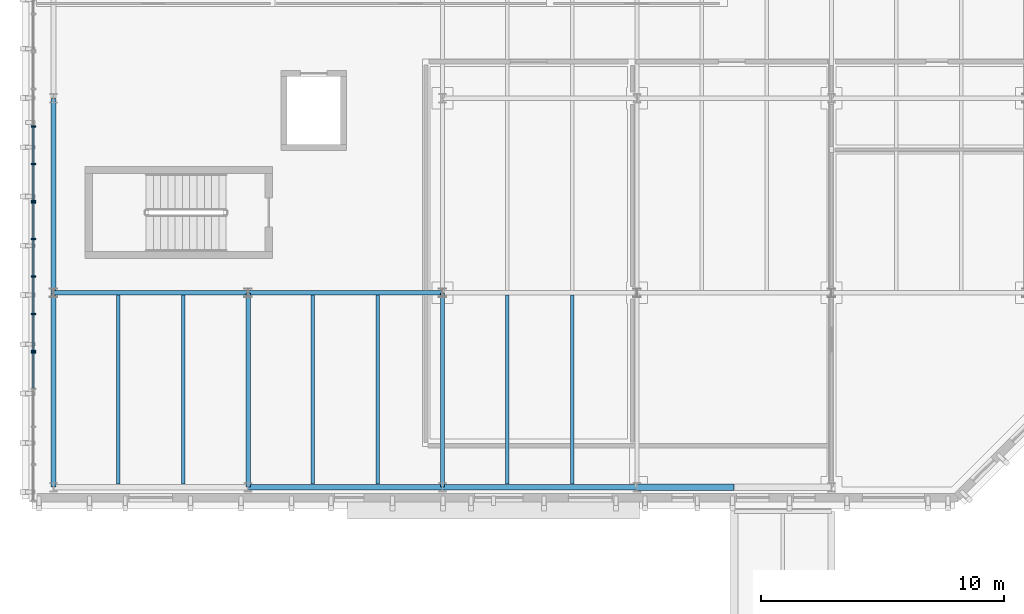
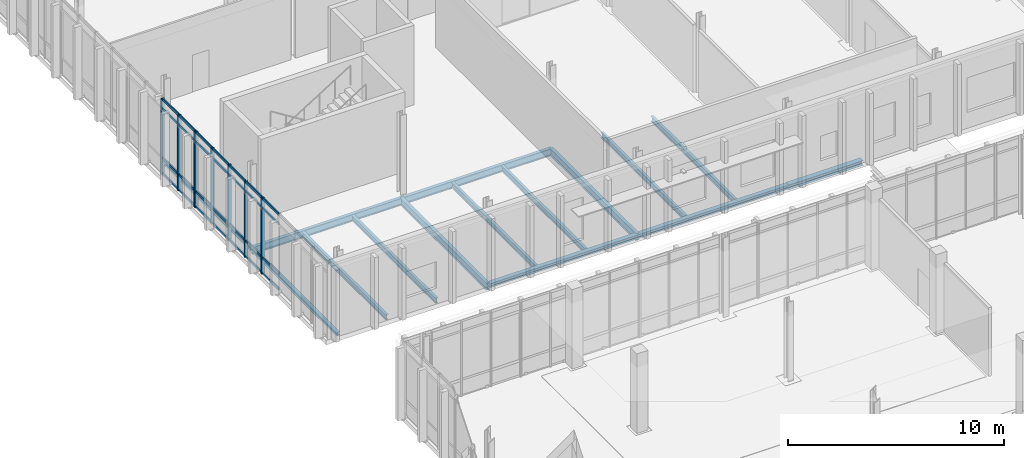
# One storey, part 18 of 62: 37 members, 15 beams, 3 elements without a shape of their own.
"""IFC4 building model written with IfcOpenShell, lengths in metres."""

from ifc_helpers import new_model, si_unit, direction, frame, origin, origin_2d, place, context, subcontext, project, spatial, rectangle, i_section, extrude, material, material_profile, profile_set, type_object, element, aggregate, save


model = new_model("IFC4")

# Units and contexts
model_context = context("Model", 3, precision=1e-05, world=origin(), true_north=direction((0.0, 1.0)))
body_context = subcontext(model_context, "Body", "Model", "MODEL_VIEW")
ifc_project = project(units=[si_unit("LENGTHUNIT", "METRE"), si_unit("AREAUNIT", "SQUARE_METRE"), si_unit("VOLUMEUNIT", "CUBIC_METRE"), si_unit("PLANEANGLEUNIT", "RADIAN"), si_unit("MASSUNIT", "GRAM", prefix="KILO")], contexts=[model_context])

# Site, building, storey
site_placement = place(None, origin())
site = spatial("IfcSite", under=ifc_project, at=site_placement, CompositionType="ELEMENT")
building_placement = place(site_placement, origin())
building = spatial("IfcBuilding", under=site, at=building_placement, Name="Cymarion Research Institute", CompositionType="ELEMENT")
storey_placement = place(building_placement, frame((0.0, 0.0, 18.300048828125)))
storey = spatial("IfcBuildingStorey", under=building, at=storey_placement, Name="L04", CompositionType="ELEMENT", Elevation=18.300048828125)

# Curtain wall, members
ifc_material_1 = material(Name="Anodised aluminium unitised curtain wall with Low-E glazing", Category="aluminium")
curtain_wall_type = type_object("IfcCurtainWallType", Name="UNITISED CURTAIN WALL CW45 6180X4280", PredefinedType="NOTDEFINED", material=ifc_material_1)
curtain_wall_1_placement = place(storey_placement, origin())
curtain_wall_1 = element("IfcCurtainWall", 1, at=curtain_wall_1_placement, inside=storey, type_object=curtain_wall_type, Name="L04 V5 unitised curtain wall CW45 #197", PredefinedType="NOTDEFINED")
ifc_material_2 = material(Name="Anodised aluminium framing", Category="aluminium")
ifc_material_profile_1 = material_profile(ifc_material_2, rectangle(XDim=0.06005859375, YDim=0.179931640625, at=origin_2d()), Name="ALU MULLION 60x180")
ifc_profile_set_1 = profile_set([ifc_material_profile_1], Name="Anodised aluminium framing")
member_type_1 = type_object("IfcMemberType", Name="CURTAIN WALL MULLION ML01 60X180", PredefinedType="MULLION", material=ifc_profile_set_1)
member_1_placement = place(storey_placement, frame((5.77001953125, 100.339111328125, 0.0), z_axis=(0.0, 0.0, 1.0), x_axis=(0.0, -1.0, 0.0)))
member_1 = element("IfcMember", 2, at=member_1_placement, type_object=member_type_1, Name="CW45 mullion 3", PredefinedType="MULLION", context=body_context, shape_type="SweptSolid", body=[
    extrude(rectangle(XDim=0.06005859375, YDim=0.179931640625, at=origin_2d()), origin(), (0.0, 0.0, 1.0), 4.280029296875),
])
member_2_placement = place(storey_placement, frame((5.77001953125, 98.795166015625, 0.0), z_axis=(0.0, 0.0, 1.0), x_axis=(0.0, -1.0, 0.0)))
member_2 = element("IfcMember", 3, at=member_2_placement, type_object=member_type_1, Name="CW45 mullion 4", PredefinedType="MULLION", context=body_context, shape_type="SweptSolid", body=[
    extrude(rectangle(XDim=0.06005859375, YDim=0.179931640625, at=origin_2d()), origin(), (0.0, 0.0, 1.0), 4.280029296875),
])
member_3_placement = place(storey_placement, frame((5.77001953125, 97.28125, 0.0), z_axis=(0.0, 0.0, 1.0), x_axis=(0.0, -1.0, 0.0)))
member_3 = element("IfcMember", 4, at=member_3_placement, type_object=member_type_1, Name="CW45 mullion 5", PredefinedType="MULLION", context=body_context, shape_type="SweptSolid", body=[
    extrude(rectangle(XDim=0.06005859375, YDim=0.179931640625, at=origin_2d()), origin(), (0.0, 0.0, 1.0), 4.280029296875),
])

curtain_wall_2_placement = place(storey_placement, origin())
curtain_wall_2 = element("IfcCurtainWall", 5, at=curtain_wall_2_placement, inside=storey, type_object=curtain_wall_type, Name="L04 V5 unitised curtain wall CW45 #198", PredefinedType="NOTDEFINED")
member_4_placement = place(storey_placement, frame((5.77001953125, 97.22119140625, 0.0), z_axis=(0.0, 0.0, 1.0), x_axis=(0.0, -1.0, 0.0)))
member_4 = element("IfcMember", 6, at=member_4_placement, type_object=member_type_1, Name="CW45 mullion 1", PredefinedType="MULLION", context=body_context, shape_type="SweptSolid", body=[
    extrude(rectangle(XDim=0.06005859375, YDim=0.179931640625, at=origin_2d()), origin(), (0.0, 0.0, 1.0), 4.280029296875),
])
member_5_placement = place(storey_placement, frame((5.77001953125, 95.707275390625, 0.0), z_axis=(0.0, 0.0, 1.0), x_axis=(0.0, -1.0, 0.0)))
member_5 = element("IfcMember", 7, at=member_5_placement, type_object=member_type_1, Name="CW45 mullion 2", PredefinedType="MULLION", context=body_context, shape_type="SweptSolid", body=[
    extrude(rectangle(XDim=0.06005859375, YDim=0.179931640625, at=origin_2d()), origin(), (0.0, 0.0, 1.0), 4.280029296875),
])
member_6_placement = place(storey_placement, frame((5.77001953125, 94.163330078125, 0.0), z_axis=(0.0, 0.0, 1.0), x_axis=(0.0, -1.0, 0.0)))
member_6 = element("IfcMember", 8, at=member_6_placement, type_object=member_type_1, Name="CW45 mullion 3", PredefinedType="MULLION", context=body_context, shape_type="SweptSolid", body=[
    extrude(rectangle(XDim=0.06005859375, YDim=0.179931640625, at=origin_2d()), origin(), (0.0, 0.0, 1.0), 4.280029296875),
])
member_7_placement = place(storey_placement, frame((5.77001953125, 92.619384765625, 0.0), z_axis=(0.0, 0.0, 1.0), x_axis=(0.0, -1.0, 0.0)))
member_7 = element("IfcMember", 9, at=member_7_placement, type_object=member_type_1, Name="CW45 mullion 4", PredefinedType="MULLION", context=body_context, shape_type="SweptSolid", body=[
    extrude(rectangle(XDim=0.06005859375, YDim=0.179931640625, at=origin_2d()), origin(), (0.0, 0.0, 1.0), 4.280029296875),
])
member_8_placement = place(storey_placement, frame((5.77001953125, 91.105712890625, 0.0), z_axis=(0.0, 0.0, 1.0), x_axis=(0.0, -1.0, 0.0)))
member_8 = element("IfcMember", 10, at=member_8_placement, type_object=member_type_1, Name="CW45 mullion 5", PredefinedType="MULLION", context=body_context, shape_type="SweptSolid", body=[
    extrude(rectangle(XDim=0.06005859375, YDim=0.179931640625, at=origin_2d()), origin(), (0.0, 0.0, 1.0), 4.280029296875),
])

# Curtain wall, member
curtain_wall_3_placement = place(storey_placement, origin())
curtain_wall_3 = element("IfcCurtainWall", 11, at=curtain_wall_3_placement, inside=storey, type_object=curtain_wall_type, Name="L04 V5 unitised curtain wall CW45 #199", PredefinedType="NOTDEFINED")
member_9_placement = place(storey_placement, frame((5.77001953125, 91.045654296875, 0.0), z_axis=(0.0, 0.0, 1.0), x_axis=(0.0, -1.0, 0.0)))
member_9 = element("IfcMember", 12, at=member_9_placement, type_object=member_type_1, Name="CW45 mullion 1", PredefinedType="MULLION", context=body_context, shape_type="SweptSolid", body=[
    extrude(rectangle(XDim=0.06005859375, YDim=0.179931640625, at=origin_2d()), origin(), (0.0, 0.0, 1.0), 4.280029296875),
])

# Member
ifc_material_profile_2 = material_profile(ifc_material_2, rectangle(XDim=0.06005859375, YDim=0.14990234375, at=origin_2d()), Name="ALU TRANSOM 60x150")
ifc_profile_set_2 = profile_set([ifc_material_profile_2], Name="Anodised aluminium framing")
member_type_2 = type_object("IfcMemberType", Name="CURTAIN WALL TRANSOM TR01 60X150", PredefinedType="USERDEFINED", material=ifc_profile_set_2)
member_10_placement = place(storey_placement, frame((5.77001953125, 100.30908203125, 0.030029296875), z_axis=(0.0, -1.0, 0.0), x_axis=(1.0, 0.0, 0.0)))
member_10 = element("IfcMember", 13, at=member_10_placement, type_object=member_type_2, Name="CW45 transom 3.1", ObjectType="TRANSOM", PredefinedType="USERDEFINED", context=body_context, shape_type="SweptSolid", body=[
    extrude(rectangle(XDim=0.06005859375, YDim=0.14990234375, at=origin_2d()), origin(), (0.0, 0.0, 1.0), 1.48388671875),
])

member_11_placement = place(storey_placement, frame((5.77001953125, 100.30908203125, 0.89990234375), z_axis=(0.0, -1.0, 0.0), x_axis=(1.0, 0.0, 0.0)))
member_11 = element("IfcMember", 14, at=member_11_placement, type_object=member_type_2, Name="CW45 transom 3.2", ObjectType="TRANSOM", PredefinedType="USERDEFINED", context=body_context, shape_type="SweptSolid", body=[
    extrude(rectangle(XDim=0.06005859375, YDim=0.14990234375, at=origin_2d()), origin(), (0.0, 0.0, 1.0), 1.48388671875),
])

member_12_placement = place(storey_placement, frame((5.77001953125, 100.30908203125, 3.72998046875), z_axis=(0.0, -1.0, 0.0), x_axis=(1.0, 0.0, 0.0)))
member_12 = element("IfcMember", 15, at=member_12_placement, type_object=member_type_2, Name="CW45 transom 3.3", ObjectType="TRANSOM", PredefinedType="USERDEFINED", context=body_context, shape_type="SweptSolid", body=[
    extrude(rectangle(XDim=0.06005859375, YDim=0.14990234375, at=origin_2d()), origin(), (0.0, 0.0, 1.0), 1.48388671875),
])

member_13_placement = place(storey_placement, frame((5.77001953125, 100.30908203125, 4.25), z_axis=(0.0, -1.0, 0.0), x_axis=(1.0, 0.0, 0.0)))
member_13 = element("IfcMember", 16, at=member_13_placement, type_object=member_type_2, Name="CW45 transom 3.4", ObjectType="TRANSOM", PredefinedType="USERDEFINED", context=body_context, shape_type="SweptSolid", body=[
    extrude(rectangle(XDim=0.06005859375, YDim=0.14990234375, at=origin_2d()), origin(), (0.0, 0.0, 1.0), 1.48388671875),
])

member_14_placement = place(storey_placement, frame((5.77001953125, 98.76513671875, 0.030029296875), z_axis=(0.0, -1.0, 0.0), x_axis=(1.0, 0.0, 0.0)))
member_14 = element("IfcMember", 17, at=member_14_placement, type_object=member_type_2, Name="CW45 transom 4.1", ObjectType="TRANSOM", PredefinedType="USERDEFINED", context=body_context, shape_type="SweptSolid", body=[
    extrude(rectangle(XDim=0.06005859375, YDim=0.14990234375, at=origin_2d()), origin(), (0.0, 0.0, 1.0), 1.453857421875),
])

member_15_placement = place(storey_placement, frame((5.77001953125, 98.76513671875, 0.89990234375), z_axis=(0.0, -1.0, 0.0), x_axis=(1.0, 0.0, 0.0)))
member_15 = element("IfcMember", 18, at=member_15_placement, type_object=member_type_2, Name="CW45 transom 4.2", ObjectType="TRANSOM", PredefinedType="USERDEFINED", context=body_context, shape_type="SweptSolid", body=[
    extrude(rectangle(XDim=0.06005859375, YDim=0.14990234375, at=origin_2d()), origin(), (0.0, 0.0, 1.0), 1.453857421875),
])

member_16_placement = place(storey_placement, frame((5.77001953125, 98.76513671875, 3.72998046875), z_axis=(0.0, -1.0, 0.0), x_axis=(1.0, 0.0, 0.0)))
member_16 = element("IfcMember", 19, at=member_16_placement, type_object=member_type_2, Name="CW45 transom 4.3", ObjectType="TRANSOM", PredefinedType="USERDEFINED", context=body_context, shape_type="SweptSolid", body=[
    extrude(rectangle(XDim=0.06005859375, YDim=0.14990234375, at=origin_2d()), origin(), (0.0, 0.0, 1.0), 1.453857421875),
])

member_17_placement = place(storey_placement, frame((5.77001953125, 98.76513671875, 4.25), z_axis=(0.0, -1.0, 0.0), x_axis=(1.0, 0.0, 0.0)))
member_17 = element("IfcMember", 20, at=member_17_placement, type_object=member_type_2, Name="CW45 transom 4.4", ObjectType="TRANSOM", PredefinedType="USERDEFINED", context=body_context, shape_type="SweptSolid", body=[
    extrude(rectangle(XDim=0.06005859375, YDim=0.14990234375, at=origin_2d()), origin(), (0.0, 0.0, 1.0), 1.453857421875),
])

aggregate(curtain_wall_1, [member_1, member_2, member_3, member_10, member_11, member_12, member_13, member_14, member_15, member_16, member_17])

member_18_placement = place(storey_placement, frame((5.77001953125, 97.191162109375, 0.030029296875), z_axis=(0.0, -1.0, 0.0), x_axis=(1.0, 0.0, 0.0)))
member_18 = element("IfcMember", 21, at=member_18_placement, type_object=member_type_2, Name="CW45 transom 1.1", ObjectType="TRANSOM", PredefinedType="USERDEFINED", context=body_context, shape_type="SweptSolid", body=[
    extrude(rectangle(XDim=0.06005859375, YDim=0.14990234375, at=origin_2d()), origin(), (0.0, 0.0, 1.0), 1.453857421875),
])

member_19_placement = place(storey_placement, frame((5.77001953125, 97.191162109375, 0.89990234375), z_axis=(0.0, -1.0, 0.0), x_axis=(1.0, 0.0, 0.0)))
member_19 = element("IfcMember", 22, at=member_19_placement, type_object=member_type_2, Name="CW45 transom 1.2", ObjectType="TRANSOM", PredefinedType="USERDEFINED", context=body_context, shape_type="SweptSolid", body=[
    extrude(rectangle(XDim=0.06005859375, YDim=0.14990234375, at=origin_2d()), origin(), (0.0, 0.0, 1.0), 1.453857421875),
])

member_20_placement = place(storey_placement, frame((5.77001953125, 97.191162109375, 3.72998046875), z_axis=(0.0, -1.0, 0.0), x_axis=(1.0, 0.0, 0.0)))
member_20 = element("IfcMember", 23, at=member_20_placement, type_object=member_type_2, Name="CW45 transom 1.3", ObjectType="TRANSOM", PredefinedType="USERDEFINED", context=body_context, shape_type="SweptSolid", body=[
    extrude(rectangle(XDim=0.06005859375, YDim=0.14990234375, at=origin_2d()), origin(), (0.0, 0.0, 1.0), 1.453857421875),
])

member_21_placement = place(storey_placement, frame((5.77001953125, 97.191162109375, 4.25), z_axis=(0.0, -1.0, 0.0), x_axis=(1.0, 0.0, 0.0)))
member_21 = element("IfcMember", 24, at=member_21_placement, type_object=member_type_2, Name="CW45 transom 1.4", ObjectType="TRANSOM", PredefinedType="USERDEFINED", context=body_context, shape_type="SweptSolid", body=[
    extrude(rectangle(XDim=0.06005859375, YDim=0.14990234375, at=origin_2d()), origin(), (0.0, 0.0, 1.0), 1.453857421875),
])

member_22_placement = place(storey_placement, frame((5.77001953125, 95.67724609375, 0.030029296875), z_axis=(0.0, -1.0, 0.0), x_axis=(1.0, 0.0, 0.0)))
member_22 = element("IfcMember", 25, at=member_22_placement, type_object=member_type_2, Name="CW45 transom 2.1", ObjectType="TRANSOM", PredefinedType="USERDEFINED", context=body_context, shape_type="SweptSolid", body=[
    extrude(rectangle(XDim=0.06005859375, YDim=0.14990234375, at=origin_2d()), origin(), (0.0, 0.0, 1.0), 1.48388671875),
])

member_23_placement = place(storey_placement, frame((5.77001953125, 95.67724609375, 0.89990234375), z_axis=(0.0, -1.0, 0.0), x_axis=(1.0, 0.0, 0.0)))
member_23 = element("IfcMember", 26, at=member_23_placement, type_object=member_type_2, Name="CW45 transom 2.2", ObjectType="TRANSOM", PredefinedType="USERDEFINED", context=body_context, shape_type="SweptSolid", body=[
    extrude(rectangle(XDim=0.06005859375, YDim=0.14990234375, at=origin_2d()), origin(), (0.0, 0.0, 1.0), 1.48388671875),
])

member_24_placement = place(storey_placement, frame((5.77001953125, 95.67724609375, 3.72998046875), z_axis=(0.0, -1.0, 0.0), x_axis=(1.0, 0.0, 0.0)))
member_24 = element("IfcMember", 27, at=member_24_placement, type_object=member_type_2, Name="CW45 transom 2.3", ObjectType="TRANSOM", PredefinedType="USERDEFINED", context=body_context, shape_type="SweptSolid", body=[
    extrude(rectangle(XDim=0.06005859375, YDim=0.14990234375, at=origin_2d()), origin(), (0.0, 0.0, 1.0), 1.48388671875),
])

member_25_placement = place(storey_placement, frame((5.77001953125, 95.67724609375, 4.25), z_axis=(0.0, -1.0, 0.0), x_axis=(1.0, 0.0, 0.0)))
member_25 = element("IfcMember", 28, at=member_25_placement, type_object=member_type_2, Name="CW45 transom 2.4", ObjectType="TRANSOM", PredefinedType="USERDEFINED", context=body_context, shape_type="SweptSolid", body=[
    extrude(rectangle(XDim=0.06005859375, YDim=0.14990234375, at=origin_2d()), origin(), (0.0, 0.0, 1.0), 1.48388671875),
])

member_26_placement = place(storey_placement, frame((5.77001953125, 94.13330078125, 0.030029296875), z_axis=(0.0, -1.0, 0.0), x_axis=(1.0, 0.0, 0.0)))
member_26 = element("IfcMember", 29, at=member_26_placement, type_object=member_type_2, Name="CW45 transom 3.1", ObjectType="TRANSOM", PredefinedType="USERDEFINED", context=body_context, shape_type="SweptSolid", body=[
    extrude(rectangle(XDim=0.06005859375, YDim=0.14990234375, at=origin_2d()), origin(), (0.0, 0.0, 1.0), 1.48388671875),
])

member_27_placement = place(storey_placement, frame((5.77001953125, 94.13330078125, 0.89990234375), z_axis=(0.0, -1.0, 0.0), x_axis=(1.0, 0.0, 0.0)))
member_27 = element("IfcMember", 30, at=member_27_placement, type_object=member_type_2, Name="CW45 transom 3.2", ObjectType="TRANSOM", PredefinedType="USERDEFINED", context=body_context, shape_type="SweptSolid", body=[
    extrude(rectangle(XDim=0.06005859375, YDim=0.14990234375, at=origin_2d()), origin(), (0.0, 0.0, 1.0), 1.48388671875),
])

member_28_placement = place(storey_placement, frame((5.77001953125, 94.13330078125, 3.72998046875), z_axis=(0.0, -1.0, 0.0), x_axis=(1.0, 0.0, 0.0)))
member_28 = element("IfcMember", 31, at=member_28_placement, type_object=member_type_2, Name="CW45 transom 3.3", ObjectType="TRANSOM", PredefinedType="USERDEFINED", context=body_context, shape_type="SweptSolid", body=[
    extrude(rectangle(XDim=0.06005859375, YDim=0.14990234375, at=origin_2d()), origin(), (0.0, 0.0, 1.0), 1.48388671875),
])

member_29_placement = place(storey_placement, frame((5.77001953125, 94.13330078125, 4.25), z_axis=(0.0, -1.0, 0.0), x_axis=(1.0, 0.0, 0.0)))
member_29 = element("IfcMember", 32, at=member_29_placement, type_object=member_type_2, Name="CW45 transom 3.4", ObjectType="TRANSOM", PredefinedType="USERDEFINED", context=body_context, shape_type="SweptSolid", body=[
    extrude(rectangle(XDim=0.06005859375, YDim=0.14990234375, at=origin_2d()), origin(), (0.0, 0.0, 1.0), 1.48388671875),
])

member_30_placement = place(storey_placement, frame((5.77001953125, 92.589599609375, 0.030029296875), z_axis=(0.0, -1.0, 0.0), x_axis=(1.0, 0.0, 0.0)))
member_30 = element("IfcMember", 33, at=member_30_placement, type_object=member_type_2, Name="CW45 transom 4.1", ObjectType="TRANSOM", PredefinedType="USERDEFINED", context=body_context, shape_type="SweptSolid", body=[
    extrude(rectangle(XDim=0.06005859375, YDim=0.14990234375, at=origin_2d()), origin(), (0.0, 0.0, 1.0), 1.4541015625),
])

member_31_placement = place(storey_placement, frame((5.77001953125, 92.589599609375, 0.89990234375), z_axis=(0.0, -1.0, 0.0), x_axis=(1.0, 0.0, 0.0)))
member_31 = element("IfcMember", 34, at=member_31_placement, type_object=member_type_2, Name="CW45 transom 4.2", ObjectType="TRANSOM", PredefinedType="USERDEFINED", context=body_context, shape_type="SweptSolid", body=[
    extrude(rectangle(XDim=0.06005859375, YDim=0.14990234375, at=origin_2d()), origin(), (0.0, 0.0, 1.0), 1.4541015625),
])

member_32_placement = place(storey_placement, frame((5.77001953125, 92.589599609375, 3.72998046875), z_axis=(0.0, -1.0, 0.0), x_axis=(1.0, 0.0, 0.0)))
member_32 = element("IfcMember", 35, at=member_32_placement, type_object=member_type_2, Name="CW45 transom 4.3", ObjectType="TRANSOM", PredefinedType="USERDEFINED", context=body_context, shape_type="SweptSolid", body=[
    extrude(rectangle(XDim=0.06005859375, YDim=0.14990234375, at=origin_2d()), origin(), (0.0, 0.0, 1.0), 1.4541015625),
])

member_33_placement = place(storey_placement, frame((5.77001953125, 92.589599609375, 4.25), z_axis=(0.0, -1.0, 0.0), x_axis=(1.0, 0.0, 0.0)))
member_33 = element("IfcMember", 36, at=member_33_placement, type_object=member_type_2, Name="CW45 transom 4.4", ObjectType="TRANSOM", PredefinedType="USERDEFINED", context=body_context, shape_type="SweptSolid", body=[
    extrude(rectangle(XDim=0.06005859375, YDim=0.14990234375, at=origin_2d()), origin(), (0.0, 0.0, 1.0), 1.4541015625),
])

aggregate(curtain_wall_2, [member_4, member_5, member_6, member_7, member_8, member_18, member_19, member_20, member_21, member_22, member_23, member_24, member_25, member_26, member_27, member_28, member_29, member_30, member_31, member_32, member_33])

member_34_placement = place(storey_placement, frame((5.77001953125, 91.015625, 0.030029296875), z_axis=(0.0, -1.0, 0.0), x_axis=(1.0, 0.0, 0.0)))
member_34 = element("IfcMember", 37, at=member_34_placement, type_object=member_type_2, Name="CW45 transom 1.1", ObjectType="TRANSOM", PredefinedType="USERDEFINED", context=body_context, shape_type="SweptSolid", body=[
    extrude(rectangle(XDim=0.06005859375, YDim=0.14990234375, at=origin_2d()), origin(), (0.0, 0.0, 1.0), 1.453857421875),
])

member_35_placement = place(storey_placement, frame((5.77001953125, 91.015625, 0.89990234375), z_axis=(0.0, -1.0, 0.0), x_axis=(1.0, 0.0, 0.0)))
member_35 = element("IfcMember", 38, at=member_35_placement, type_object=member_type_2, Name="CW45 transom 1.2", ObjectType="TRANSOM", PredefinedType="USERDEFINED", context=body_context, shape_type="SweptSolid", body=[
    extrude(rectangle(XDim=0.06005859375, YDim=0.14990234375, at=origin_2d()), origin(), (0.0, 0.0, 1.0), 1.453857421875),
])

member_36_placement = place(storey_placement, frame((5.77001953125, 91.015625, 3.72998046875), z_axis=(0.0, -1.0, 0.0), x_axis=(1.0, 0.0, 0.0)))
member_36 = element("IfcMember", 39, at=member_36_placement, type_object=member_type_2, Name="CW45 transom 1.3", ObjectType="TRANSOM", PredefinedType="USERDEFINED", context=body_context, shape_type="SweptSolid", body=[
    extrude(rectangle(XDim=0.06005859375, YDim=0.14990234375, at=origin_2d()), origin(), (0.0, 0.0, 1.0), 1.453857421875),
])

member_37_placement = place(storey_placement, frame((5.77001953125, 91.015625, 4.25), z_axis=(0.0, -1.0, 0.0), x_axis=(1.0, 0.0, 0.0)))
member_37 = element("IfcMember", 40, at=member_37_placement, type_object=member_type_2, Name="CW45 transom 1.4", ObjectType="TRANSOM", PredefinedType="USERDEFINED", context=body_context, shape_type="SweptSolid", body=[
    extrude(rectangle(XDim=0.06005859375, YDim=0.14990234375, at=origin_2d()), origin(), (0.0, 0.0, 1.0), 1.453857421875),
])

aggregate(curtain_wall_3, [member_9, member_34, member_35, member_36, member_37])

# Beams
ifc_material_3 = material(Name="Steel S355", Category="steel")
ifc_material_profile_3 = material_profile(ifc_material_3, i_section(OverallWidth=0.179931640625, OverallDepth=0.39990234375, WebThickness=0.008544921875, FlangeThickness=0.013427734375, FilletRadius=0.02099609375, at=origin_2d()), Name="IPE 400")
ifc_profile_set_3 = profile_set([ifc_material_profile_3], Name="Steel S355")
beam_type_1 = type_object("IfcBeamType", Name="PRIMARY GIRDER BM05 IPE 400", PredefinedType="BEAM", material=ifc_profile_set_3)
for number, where, z_axis, x_axis, name in (
    (41, (6.60595703125, 93.5, -0.449951171875), (1.0, 0.0, 0.0), (0.0, 1.0, 0.0), "L04 V5 girder BM05 #1779"),
    (42, (14.60595703125, 93.5, -0.449951171875), (1.0, 0.0, 0.0), (0.0, 1.0, 0.0), "L04 V5 girder BM05 #1780"),
):
    element("IfcBeam", number, at=place(storey_placement, frame(where, z_axis=z_axis, x_axis=x_axis)), inside=storey, type_object=beam_type_1, Name=name, PredefinedType="BEAM", context=body_context, shape_type="SweptSolid", body=[
        extrude(i_section(OverallWidth=0.179931640625, OverallDepth=0.39990234375, WebThickness=0.008544921875, FlangeThickness=0.013427734375, FilletRadius=0.02099609375, at=origin_2d()), origin(), (0.0, 0.0, 1.0), 7.988037109375),
    ])
for number, where, z_axis, x_axis, name in (
    (43, (14.60009765625, 85.506103515625, -0.449951171875), (0.0, 1.0, 0.0), (-1.0, 0.0, 0.0), "L04 V5 girder BM05 #1801"),
    (44, (22.60009765625, 85.506103515625, -0.449951171875), (0.0, 1.0, 0.0), (-1.0, 0.0, 0.0), "L04 V5 girder BM05 #1803"),
):
    element("IfcBeam", number, at=place(storey_placement, frame(where, z_axis=z_axis, x_axis=x_axis)), inside=storey, type_object=beam_type_1, Name=name, PredefinedType="BEAM", context=body_context, shape_type="SweptSolid", body=[
        extrude(i_section(OverallWidth=0.179931640625, OverallDepth=0.39990234375, WebThickness=0.008544921875, FlangeThickness=0.013427734375, FilletRadius=0.02099609375, at=origin_2d()), origin(), (0.0, 0.0, 1.0), 7.98779296875),
    ])
ifc_material_profile_4 = material_profile(ifc_material_3, i_section(OverallWidth=0.14990234375, OverallDepth=0.300048828125, WebThickness=0.007080078125, FlangeThickness=0.0107421875, FilletRadius=0.014892578125, at=origin_2d()), Name="IPE 300")
ifc_profile_set_4 = profile_set([ifc_material_profile_4], Name="Steel S355")
beam_type_2 = type_object("IfcBeamType", Name="SECONDARY JOIST JS02 IPE 300", PredefinedType="JOIST", material=ifc_profile_set_4)
for number, where, z_axis, x_axis, name in (
    (45, (9.2666015625, 85.6240234375, -0.400146484375), (0.0, 1.0, 0.0), (-1.0, 0.0, 0.0), "L04 V5 secondary joist JS02 #1817"),
    (46, (11.933349609375, 85.6240234375, -0.400146484375), (0.0, 1.0, 0.0), (-1.0, 0.0, 0.0), "L04 V5 secondary joist JS02 #1818"),
    (47, (17.2666015625, 85.6240234375, -0.400146484375), (0.0, 1.0, 0.0), (-1.0, 0.0, 0.0), "L04 V5 secondary joist JS02 #1819"),
    (48, (19.933349609375, 85.6240234375, -0.400146484375), (0.0, 1.0, 0.0), (-1.0, 0.0, 0.0), "L04 V5 secondary joist JS02 #1820"),
    (49, (25.2666015625, 85.6240234375, -0.400146484375), (0.0, 1.0, 0.0), (-1.0, 0.0, 0.0), "L04 V5 secondary joist JS02 #1821"),
    (50, (27.933349609375, 85.6240234375, -0.400146484375), (0.0, 1.0, 0.0), (-1.0, 0.0, 0.0), "L04 V5 secondary joist JS02 #1822"),
):
    element("IfcBeam", number, at=place(storey_placement, frame(where, z_axis=z_axis, x_axis=x_axis)), inside=storey, type_object=beam_type_2, Name=name, PredefinedType="JOIST", context=body_context, shape_type="SweptSolid", body=[
        extrude(i_section(OverallWidth=0.14990234375, OverallDepth=0.300048828125, WebThickness=0.007080078125, FlangeThickness=0.0107421875, FilletRadius=0.014892578125, at=origin_2d()), origin(), (0.0, 0.0, 1.0), 7.781982421875),
    ])
ifc_material_profile_5 = material_profile(ifc_material_3, i_section(OverallWidth=0.280029296875, OverallDepth=0.27001953125, WebThickness=0.008056640625, FlangeThickness=0.012939453125, FilletRadius=0.02392578125, at=origin_2d()), Name="HEA 280")
ifc_profile_set_5 = profile_set([ifc_material_profile_5], Name="Steel S355")
beam_type_3 = type_object("IfcBeamType", Name="SPANDREL BEAM SPB02 HEA 280", PredefinedType="SPANDREL", material=ifc_profile_set_5)
beam_placement = place(storey_placement, frame((30.60595703125, 85.5, -0.385009765625), z_axis=(1.0, 0.0, 0.0), x_axis=(0.0, 1.0, 0.0)))
element("IfcBeam", 51, at=beam_placement, inside=storey, type_object=beam_type_3, Name="L04 V5 girder SPB02 #1777", PredefinedType="SPANDREL", context=body_context, shape_type="SweptSolid", body=[
    extrude(i_section(OverallWidth=0.280029296875, OverallDepth=0.27001953125, WebThickness=0.008056640625, FlangeThickness=0.012939453125, FilletRadius=0.02392578125, at=origin_2d()), origin(), (0.0, 0.0, 1.0), 3.988037109375),
])
ifc_material_profile_6 = material_profile(ifc_material_3, i_section(OverallWidth=0.239990234375, OverallDepth=0.22998046875, WebThickness=0.007568359375, FlangeThickness=0.011962890625, FilletRadius=0.02099609375, at=origin_2d()), Name="HEA 240")
ifc_profile_set_6 = profile_set([ifc_material_profile_6], Name="Steel S355")
beam_type_4 = type_object("IfcBeamType", Name="SPANDREL BEAM SPB03 HEA 240", PredefinedType="SPANDREL", material=ifc_profile_set_6)
for number, where, z_axis, x_axis, name in (
    (52, (14.60595703125, 85.5, -0.364990234375), (1.0, 0.0, 0.0), (0.0, 1.0, 0.0), "L04 V5 girder SPB03 #1775"),
    (53, (22.60595703125, 85.5, -0.364990234375), (1.0, 0.0, 0.0), (0.0, 1.0, 0.0), "L04 V5 girder SPB03 #1776"),
):
    element("IfcBeam", number, at=place(storey_placement, frame(where, z_axis=z_axis, x_axis=x_axis)), inside=storey, type_object=beam_type_4, Name=name, PredefinedType="SPANDREL", context=body_context, shape_type="SweptSolid", body=[
        extrude(i_section(OverallWidth=0.239990234375, OverallDepth=0.22998046875, WebThickness=0.007568359375, FlangeThickness=0.011962890625, FilletRadius=0.02099609375, at=origin_2d()), origin(), (0.0, 0.0, 1.0), 7.988037109375),
    ])
ifc_material_profile_7 = material_profile(ifc_material_3, i_section(OverallWidth=0.199951171875, OverallDepth=0.18994140625, WebThickness=0.006591796875, FlangeThickness=0.010009765625, FilletRadius=0.01806640625, at=origin_2d()), Name="HEA 200")
ifc_profile_set_7 = profile_set([ifc_material_profile_7], Name="Steel S355")
beam_type_5 = type_object("IfcBeamType", Name="SPANDREL BEAM SPB04 HEA 200", PredefinedType="SPANDREL", material=ifc_profile_set_7)
for number, where, z_axis, x_axis, name in (
    (54, (6.60009765625, 85.506103515625, -0.344970703125), (0.0, 1.0, 0.0), (-1.0, 0.0, 0.0), "L04 V5 girder SPB04 #1797"),
    (55, (6.60009765625, 93.506103515625, -0.344970703125), (0.0, 1.0, 0.0), (-1.0, 0.0, 0.0), "L04 V5 girder SPB04 #1798"),
):
    element("IfcBeam", number, at=place(storey_placement, frame(where, z_axis=z_axis, x_axis=x_axis)), inside=storey, type_object=beam_type_5, Name=name, PredefinedType="SPANDREL", context=body_context, shape_type="SweptSolid", body=[
        extrude(i_section(OverallWidth=0.199951171875, OverallDepth=0.18994140625, WebThickness=0.006591796875, FlangeThickness=0.010009765625, FilletRadius=0.01806640625, at=origin_2d()), origin(), (0.0, 0.0, 1.0), 7.98779296875),
    ])

save(model, "model.ifc")
